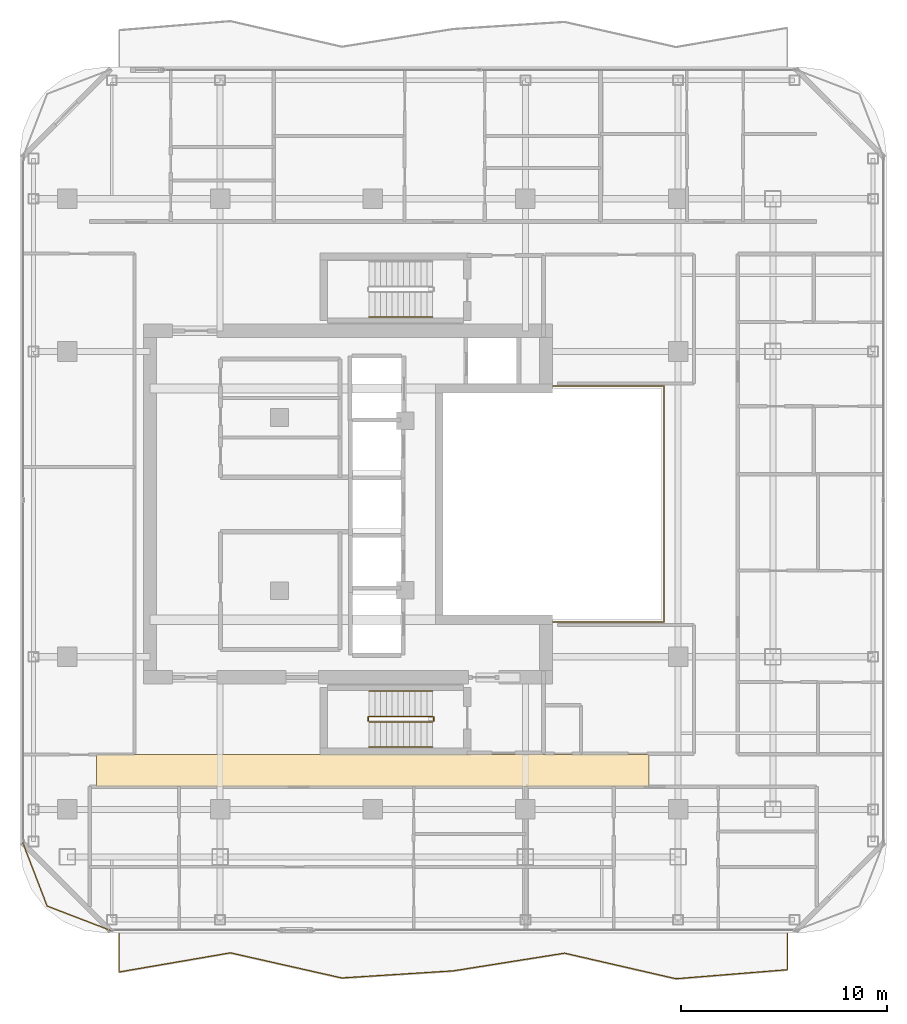
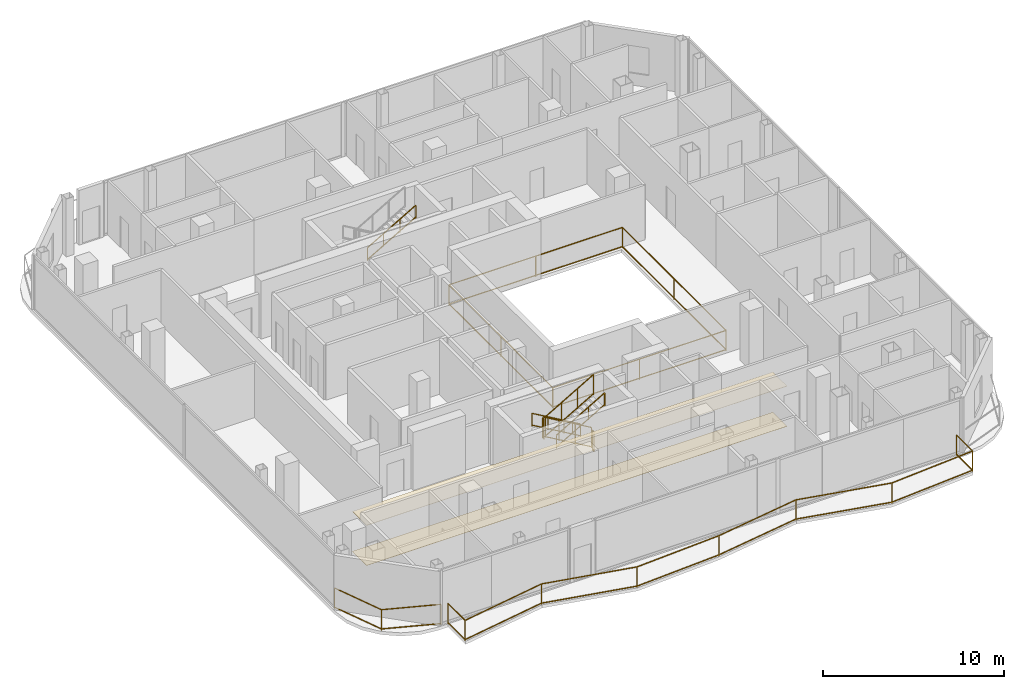
# One storey, part 21 of 23: 10 railings, 2 coverings.
"""IFC4 building model written with IfcOpenShell, lengths in metres."""

from ifc_helpers import new_model, si_unit, direction, frame, origin, origin_2d, place, context, subcontext, project, spatial, polyline, rectangle, outline, extrude, material, layer, layer_set, type_object, element, save


model = new_model("IFC4")

# Units and contexts
model_context = context("Model", 3, precision=1e-05, world=origin(), true_north=direction((0.0, 1.0)))
body_context = subcontext(model_context, "Body", "Model", "MODEL_VIEW")
ifc_project = project(units=[si_unit("LENGTHUNIT", "METRE"), si_unit("AREAUNIT", "SQUARE_METRE"), si_unit("VOLUMEUNIT", "CUBIC_METRE"), si_unit("PLANEANGLEUNIT", "RADIAN"), si_unit("MASSUNIT", "GRAM", prefix="KILO")], contexts=[model_context])

# Site, building, storey
site_placement = place(None, origin())
site = spatial("IfcSite", under=ifc_project, at=site_placement, CompositionType="ELEMENT")
building_placement = place(site_placement, origin())
building = spatial("IfcBuilding", under=site, at=building_placement, Name="Khorvyn Point Tower", CompositionType="ELEMENT")
storey_placement = place(building_placement, frame((0.0, 0.0, 258.60009765625)))
storey = spatial("IfcBuildingStorey", under=building, at=storey_placement, Name="L63", CompositionType="ELEMENT", Elevation=258.60009765625)

# Railings
ifc_material_1 = material(Name="Stainless steel 1.4401 and laminated glass", Category="steel")
railing_type_1 = type_object("IfcRailingType", Name="Crystal Atrium Smoke-Rated Perimeter Guardrail 1400", PredefinedType="GUARDRAIL", material=ifc_material_1)
railing_1_placement = place(storey_placement, frame((3.080078125, -5.719970703125, 0.0)))
element("IfcRailing", 1, at=railing_1_placement, inside=storey, type_object=railing_type_1, Name="L63 Crystal Atrium Perimeter Guardrail", PredefinedType="GUARDRAIL", context=body_context, shape_type="SweptSolid", body=[
    extrude(rectangle(XDim=0.048095703125, YDim=0.048095703125, at=origin_2d()), frame((0.0, 0.0, 1.3759765625), z_axis=(1.0, 0.0, 0.0), x_axis=(0.0, 1.0, 0.0)), (0.0, 0.0, 1.0), 11.0400390625),
    extrude(rectangle(XDim=0.048095703125, YDim=0.048095703125, at=origin_2d()), frame((0.0, 0.0, 0.080078125), z_axis=(1.0, 0.0, 0.0), x_axis=(0.0, 1.0, 0.0)), (0.0, 0.0, 1.0), 11.0400390625),
    extrude(rectangle(XDim=0.048095703125, YDim=0.048095703125, at=origin_2d()), frame((11.0400390625, 0.0, 1.3759765625), z_axis=(0.0, 1.0, 0.0), x_axis=(-1.0, 0.0, 0.0)), (0.0, 0.0, 1.0), 11.43994140625),
    extrude(rectangle(XDim=0.048095703125, YDim=0.048095703125, at=origin_2d()), frame((11.0400390625, 0.0, 0.080078125), z_axis=(0.0, 1.0, 0.0), x_axis=(-1.0, 0.0, 0.0)), (0.0, 0.0, 1.0), 11.43994140625),
    extrude(rectangle(XDim=0.048095703125, YDim=0.048095703125, at=origin_2d()), frame((11.0400390625, 11.43994140625, 1.3759765625), z_axis=(-1.0, 0.0, 0.0), x_axis=(0.0, -1.0, 0.0)), (0.0, 0.0, 1.0), 11.0400390625),
    extrude(rectangle(XDim=0.048095703125, YDim=0.048095703125, at=origin_2d()), frame((11.0400390625, 11.43994140625, 0.080078125), z_axis=(-1.0, 0.0, 0.0), x_axis=(0.0, -1.0, 0.0)), (0.0, 0.0, 1.0), 11.0400390625),
    extrude(rectangle(XDim=0.048095703125, YDim=0.048095703125, at=origin_2d()), frame((0.0, 11.43994140625, 1.3759765625), z_axis=(0.0, -1.0, 0.0), x_axis=(1.0, 0.0, 0.0)), (0.0, 0.0, 1.0), 11.409912109375),
    extrude(rectangle(XDim=0.048095703125, YDim=0.048095703125, at=origin_2d()), frame((0.0, 11.43994140625, 0.080078125), z_axis=(0.0, -1.0, 0.0), x_axis=(1.0, 0.0, 0.0)), (0.0, 0.0, 1.0), 11.409912109375),
    extrude(rectangle(XDim=0.0419921875, YDim=0.0419921875, at=origin_2d()), origin(), (0.0, 0.0, 1.0), 1.351806640625),
    extrude(rectangle(XDim=0.0419921875, YDim=0.0419921875, at=origin_2d()), frame((5.52001953125, 0.0, 0.0)), (0.0, 0.0, 1.0), 1.351806640625),
    extrude(rectangle(XDim=0.0419921875, YDim=0.0419921875, at=origin_2d()), frame((11.0400390625, 0.0, 0.0)), (0.0, 0.0, 1.0), 1.351806640625),
    extrude(rectangle(XDim=0.0419921875, YDim=0.0419921875, at=origin_2d()), frame((11.0400390625, 5.719970703125, 0.0)), (0.0, 0.0, 1.0), 1.351806640625),
    extrude(rectangle(XDim=0.0419921875, YDim=0.0419921875, at=origin_2d()), frame((11.0400390625, 11.43994140625, 0.0)), (0.0, 0.0, 1.0), 1.351806640625),
    extrude(rectangle(XDim=0.0419921875, YDim=0.0419921875, at=origin_2d()), frame((5.52001953125, 11.43994140625, 0.0)), (0.0, 0.0, 1.0), 1.351806640625),
    extrude(rectangle(XDim=0.0419921875, YDim=0.0419921875, at=origin_2d()), frame((0.0, 11.43994140625, 0.0)), (0.0, 0.0, 1.0), 1.351806640625),
    extrude(rectangle(XDim=0.0419921875, YDim=0.0419921875, at=origin_2d()), frame((0.0, 5.73486328125, 0.0)), (0.0, 0.0, 1.0), 1.351806640625),
    extrude(rectangle(XDim=0.0419921875, YDim=0.0419921875, at=origin_2d()), frame((0.0, 0.030029296875, 0.0)), (0.0, 0.0, 1.0), 1.351806640625),
])
ifc_material_2 = material(Name="Anodised aluminium 6063-T6 and laminated safety glass", Category="aluminium")
railing_type_2 = type_object("IfcRailingType", Name="Laminated Glass and Aluminium Balcony Guardrail 1400", PredefinedType="BALUSTRADE", material=ifc_material_2)
railing_2_placement = place(storey_placement, frame((-16.974365234375, -16.386474609375, 0.0)))
element("IfcRailing", 2, at=railing_2_placement, inside=storey, type_object=railing_type_2, Name="L63 Rounded Corner Edge Guardrail SW", PredefinedType="BALUSTRADE", context=body_context, shape_type="SweptSolid", body=[
    extrude(rectangle(XDim=0.048095703125, YDim=0.048095703125, at=origin_2d()), frame((0.0, 0.0, 1.3759765625), z_axis=(0.358367799998, -0.933580483903, 0.0), x_axis=(0.933580483903, 0.358367799998, 0.0)), (0.0, 0.0, 1.0), 3.319091796875),
    extrude(rectangle(XDim=0.048095703125, YDim=0.048095703125, at=origin_2d()), frame((0.0, 0.0, 0.080078125), z_axis=(0.358367799998, -0.933580483903, 0.0), x_axis=(0.933580483903, 0.358367799998, 0.0)), (0.0, 0.0, 1.0), 3.319091796875),
    extrude(rectangle(XDim=0.048095703125, YDim=0.048095703125, at=origin_2d()), frame((1.189453125, -3.0986328125, 1.3759765625), z_axis=(0.933595647299, -0.358328295484, 0.0), x_axis=(0.358328295484, 0.933595647299, 0.0)), (0.0, 0.0, 1.0), 3.31884765625),
    extrude(rectangle(XDim=0.048095703125, YDim=0.048095703125, at=origin_2d()), frame((1.189453125, -3.0986328125, 0.080078125), z_axis=(0.933595647299, -0.358328295484, 0.0), x_axis=(0.358328295484, 0.933595647299, 0.0)), (0.0, 0.0, 1.0), 3.31884765625),
    extrude(rectangle(XDim=0.0419921875, YDim=0.0419921875, at=origin_2d()), origin(), (0.0, 0.0, 1.0), 1.351806640625),
    extrude(rectangle(XDim=0.0419921875, YDim=0.0419921875, at=origin_2d()), frame((1.189453125, -3.0986328125, 0.0)), (0.0, 0.0, 1.0), 1.351806640625),
    extrude(rectangle(XDim=0.0419921875, YDim=0.0419921875, at=origin_2d()), frame((4.287841796875, -4.287841796875, 0.0)), (0.0, 0.0, 1.0), 1.351806640625),
])
railing_3_placement = place(storey_placement, frame((-12.300048828125, -20.800048828125, 0.0)))
element("IfcRailing", 3, at=railing_3_placement, inside=storey, type_object=railing_type_2, Name="L63 South Balcony Guardrail", PredefinedType="BALUSTRADE", context=body_context, shape_type="SweptSolid", body=[
    extrude(rectangle(XDim=0.048095703125, YDim=0.048095703125, at=origin_2d()), frame((0.0, 0.0, 1.3759765625), z_axis=(0.0, -1.0, 0.0), x_axis=(1.0, 0.0, 0.0)), (0.0, 0.0, 1.0), 1.88134765625),
    extrude(rectangle(XDim=0.048095703125, YDim=0.048095703125, at=origin_2d()), frame((0.0, 0.0, 0.080078125), z_axis=(0.0, -1.0, 0.0), x_axis=(1.0, 0.0, 0.0)), (0.0, 0.0, 1.0), 1.88134765625),
    extrude(rectangle(XDim=0.048095703125, YDim=0.048095703125, at=origin_2d()), frame((0.0, -1.88134765625, 1.3759765625), z_axis=(0.985524357442, 0.169533893036, 0.0), x_axis=(-0.169533893036, 0.985524357442, 0.0)), (0.0, 0.0, 1.0), 5.4794921875),
    extrude(rectangle(XDim=0.048095703125, YDim=0.048095703125, at=origin_2d()), frame((0.0, -1.88134765625, 0.080078125), z_axis=(0.985524357442, 0.169533893036, 0.0), x_axis=(-0.169533893036, 0.985524357442, 0.0)), (0.0, 0.0, 1.0), 5.4794921875),
    extrude(rectangle(XDim=0.048095703125, YDim=0.048095703125, at=origin_2d()), frame((5.400146484375, -0.952392578125, 1.3759765625), z_axis=(0.975501488729, -0.219992830535, 0.0), x_axis=(0.219992830535, 0.975501488729, 0.0)), (0.0, 0.0, 1.0), 5.535400390625),
    extrude(rectangle(XDim=0.048095703125, YDim=0.048095703125, at=origin_2d()), frame((5.400146484375, -0.952392578125, 0.080078125), z_axis=(0.975501488729, -0.219992830535, 0.0), x_axis=(0.219992830535, 0.975501488729, 0.0)), (0.0, 0.0, 1.0), 5.535400390625),
    extrude(rectangle(XDim=0.048095703125, YDim=0.048095703125, at=origin_2d()), frame((10.800048828125, -2.170166015625, 1.3759765625), z_axis=(0.997982791222, 0.063485025194, 0.0), x_axis=(-0.063485025194, 0.997982791222, 0.0)), (0.0, 0.0, 1.0), 5.410888671875),
    extrude(rectangle(XDim=0.048095703125, YDim=0.048095703125, at=origin_2d()), frame((10.800048828125, -2.170166015625, 0.080078125), z_axis=(0.997982791222, 0.063485025194, 0.0), x_axis=(-0.063485025194, 0.997982791222, 0.0)), (0.0, 0.0, 1.0), 5.410888671875),
    extrude(rectangle(XDim=0.048095703125, YDim=0.048095703125, at=origin_2d()), frame((16.199951171875, -1.82666015625, 1.3759765625), z_axis=(0.987593686239, 0.157030923392, 0.0), x_axis=(-0.157030923392, 0.987593686239, 0.0)), (0.0, 0.0, 1.0), 5.468017578125),
    extrude(rectangle(XDim=0.048095703125, YDim=0.048095703125, at=origin_2d()), frame((16.199951171875, -1.82666015625, 0.080078125), z_axis=(0.987593686239, 0.157030923392, 0.0), x_axis=(-0.157030923392, 0.987593686239, 0.0)), (0.0, 0.0, 1.0), 5.468017578125),
    extrude(rectangle(XDim=0.048095703125, YDim=0.048095703125, at=origin_2d()), frame((21.60009765625, -0.968017578125, 1.3759765625), z_axis=(0.974604637949, -0.223932578445, 0.0), x_axis=(0.223932578445, 0.974604637949, 0.0)), (0.0, 0.0, 1.0), 5.54052734375),
    extrude(rectangle(XDim=0.048095703125, YDim=0.048095703125, at=origin_2d()), frame((21.60009765625, -0.968017578125, 0.080078125), z_axis=(0.974604637949, -0.223932578445, 0.0), x_axis=(0.223932578445, 0.974604637949, 0.0)), (0.0, 0.0, 1.0), 5.54052734375),
    extrude(rectangle(XDim=0.048095703125, YDim=0.048095703125, at=origin_2d()), frame((27.0, -2.208740234375, 1.3759765625), z_axis=(0.996726987626, 0.080841277445, 0.0), x_axis=(-0.080841277445, 0.996726987626, 0.0)), (0.0, 0.0, 1.0), 5.41796875),
    extrude(rectangle(XDim=0.048095703125, YDim=0.048095703125, at=origin_2d()), frame((27.0, -2.208740234375, 0.080078125), z_axis=(0.996726987626, 0.080841277445, 0.0), x_axis=(-0.080841277445, 0.996726987626, 0.0)), (0.0, 0.0, 1.0), 5.41796875),
    extrude(rectangle(XDim=0.048095703125, YDim=0.048095703125, at=origin_2d()), frame((32.400146484375, -1.770751953125, 1.3759765625), z_axis=(0.0, 1.0, 0.0), x_axis=(-1.0, 0.0, 0.0)), (0.0, 0.0, 1.0), 1.770751953125),
    extrude(rectangle(XDim=0.048095703125, YDim=0.048095703125, at=origin_2d()), frame((32.400146484375, -1.770751953125, 0.080078125), z_axis=(0.0, 1.0, 0.0), x_axis=(-1.0, 0.0, 0.0)), (0.0, 0.0, 1.0), 1.770751953125),
    extrude(rectangle(XDim=0.0419921875, YDim=0.0419921875, at=origin_2d()), origin(), (0.0, 0.0, 1.0), 1.351806640625),
    extrude(rectangle(XDim=0.0419921875, YDim=0.0419921875, at=origin_2d()), frame((0.0, -1.88134765625, 0.0)), (0.0, 0.0, 1.0), 1.351806640625),
    extrude(rectangle(XDim=0.0419921875, YDim=0.0419921875, at=origin_2d()), frame((5.400146484375, -0.952392578125, 0.0)), (0.0, 0.0, 1.0), 1.351806640625),
    extrude(rectangle(XDim=0.0419921875, YDim=0.0419921875, at=origin_2d()), frame((10.800048828125, -2.170166015625, 0.0)), (0.0, 0.0, 1.0), 1.351806640625),
    extrude(rectangle(XDim=0.0419921875, YDim=0.0419921875, at=origin_2d()), frame((16.199951171875, -1.82666015625, 0.0)), (0.0, 0.0, 1.0), 1.351806640625),
    extrude(rectangle(XDim=0.0419921875, YDim=0.0419921875, at=origin_2d()), frame((21.60009765625, -0.968017578125, 0.0)), (0.0, 0.0, 1.0), 1.351806640625),
    extrude(rectangle(XDim=0.0419921875, YDim=0.0419921875, at=origin_2d()), frame((27.0, -2.208740234375, 0.0)), (0.0, 0.0, 1.0), 1.351806640625),
    extrude(rectangle(XDim=0.0419921875, YDim=0.0419921875, at=origin_2d()), frame((32.400146484375, -1.770751953125, 0.0)), (0.0, 0.0, 1.0), 1.351806640625),
    extrude(rectangle(XDim=0.0419921875, YDim=0.0419921875, at=origin_2d()), frame((32.400146484375, 0.0, 0.0)), (0.0, 0.0, 1.0), 1.351806640625),
])

# Coverings
ifc_material_3 = material(Name="Mineral-fibre acoustic ceiling board", Category="gypsum")
ifc_layer_1 = layer(ifc_material_3, 0.02001953125)
ifc_layer_set_1 = layer_set([ifc_layer_1], Name="Perforated Mineral-Fibre Acoustic Suspended Ceiling 20")
covering_type_1 = type_object("IfcCoveringType", Name="Perforated Mineral-Fibre Acoustic Suspended Ceiling 20", PredefinedType="CEILING", material=ifc_layer_set_1)
covering_1_placement = place(storey_placement, frame((0.0, 0.0, 2.699951171875)))
element("IfcCovering", 4, at=covering_1_placement, inside=storey, type_object=covering_type_1, Name="L63 South Corridor Acoustic Ceiling", PredefinedType="CEILING", context=body_context, shape_type="SweptSolid", body=[
    extrude(outline(polyline([(-13.39990234375, -13.7099609375), (13.39990234375, -13.7099609375), (13.39990234375, -12.139892578125), (-13.39990234375, -12.139892578125), (-13.39990234375, -13.7099609375)])), origin(), (0.0, 0.0, 1.0), 0.02001953125),
])
ifc_material_4 = material(Name="Vitrified porcelain terrazzo tile", Category="ceramic")
ifc_layer_2 = layer(ifc_material_4, 0.01806640625)
ifc_layer_set_2 = layer_set([ifc_layer_2], Name="Porcelain Terrazzo Corridor Floor Finish Tile 18")
covering_type_2 = type_object("IfcCoveringType", Name="Porcelain Terrazzo Corridor Floor Finish Tile 18", PredefinedType="FLOORING", material=ifc_layer_set_2)
covering_2_placement = place(storey_placement, origin())
element("IfcCovering", 5, at=covering_2_placement, inside=storey, type_object=covering_type_2, Name="L63 South Corridor Terrazzo Flooring", PredefinedType="FLOORING", context=body_context, shape_type="SweptSolid", body=[
    extrude(outline(polyline([(-13.39990234375, -13.7099609375), (13.39990234375, -13.7099609375), (13.39990234375, -12.139892578125), (-13.39990234375, -12.139892578125), (-13.39990234375, -13.7099609375)])), origin(), (0.0, 0.0, 1.0), 0.017822265625),
])

# Railings
ifc_material_5 = material(Name="Stainless steel 1.4301", Category="steel")
railing_type_3 = type_object("IfcRailingType", Name="Stainless Steel 304 Stair Pitch Handrail 900", PredefinedType="HANDRAIL", material=ifc_material_5)
railing_4_placement = place(storey_placement, frame((2.89990234375, -9.070068359375, 0.162353515625)))
element("IfcRailing", 6, at=railing_4_placement, inside=storey, type_object=railing_type_3, Name="L63 ST-01 stair handrail 1", PredefinedType="HANDRAIL", context=body_context, shape_type="SweptSolid", body=[
    extrude(rectangle(XDim=0.048095703125, YDim=0.048095703125, at=origin_2d()), frame((0.0, 0.0, 0.8759765625), z_axis=(-0.864873446163, 0.0, 0.501989962173), x_axis=(0.0, -1.0, 0.0)), (0.0, 0.0, 1.0), 3.56103515625),
    extrude(rectangle(XDim=0.048095703125, YDim=0.048095703125, at=origin_2d()), frame((0.0, 0.0, 0.080078125), z_axis=(-0.864873446163, 0.0, 0.501989962173), x_axis=(0.0, -1.0, 0.0)), (0.0, 0.0, 1.0), 3.56103515625),
    extrude(rectangle(XDim=0.0419921875, YDim=0.0419921875, at=origin_2d()), origin(), (0.0, 0.0, 1.0), 0.851806640625),
    extrude(rectangle(XDim=0.0419921875, YDim=0.0419921875, at=origin_2d()), frame((-1.026611328125, 0.0, 0.595947265625)), (0.0, 0.0, 1.0), 0.851806640625),
    extrude(rectangle(XDim=0.0419921875, YDim=0.0419921875, at=origin_2d()), frame((-2.05322265625, 0.0, 1.191650390625)), (0.0, 0.0, 1.0), 0.851806640625),
    extrude(rectangle(XDim=0.0419921875, YDim=0.0419921875, at=origin_2d()), frame((-3.079833984375, 0.0, 1.78759765625)), (0.0, 0.0, 1.0), 0.851806640625),
])
for number, where, name in (
    (7, (-0.179931640625, -11.77001953125, 2.1123046875), "L63 ST-01 stair handrail 2"),
    (8, (-0.179931640625, 9.070068359375, 2.1123046875), "L63 ST-02 stair handrail 2"),
):
    element("IfcRailing", number, at=place(storey_placement, frame(where)), inside=storey, type_object=railing_type_3, Name=name, PredefinedType="HANDRAIL", context=body_context, shape_type="SweptSolid", body=[
        extrude(rectangle(XDim=0.048095703125, YDim=0.048095703125, at=origin_2d()), frame((0.0, 0.0, 0.8759765625), z_axis=(0.864873446163, 0.0, 0.501989962173), x_axis=(0.0, 1.0, 0.0)), (0.0, 0.0, 1.0), 3.56103515625),
        extrude(rectangle(XDim=0.048095703125, YDim=0.048095703125, at=origin_2d()), frame((0.0, 0.0, 0.080078125), z_axis=(0.864873446163, 0.0, 0.501989962173), x_axis=(0.0, 1.0, 0.0)), (0.0, 0.0, 1.0), 3.56103515625),
        extrude(rectangle(XDim=0.0419921875, YDim=0.0419921875, at=origin_2d()), origin(), (0.0, 0.0, 1.0), 0.851806640625),
        extrude(rectangle(XDim=0.0419921875, YDim=0.0419921875, at=origin_2d()), frame((1.026611328125, 0.0, 0.595947265625)), (0.0, 0.0, 1.0), 0.851806640625),
        extrude(rectangle(XDim=0.0419921875, YDim=0.0419921875, at=origin_2d()), frame((2.05322265625, 0.0, 1.191650390625)), (0.0, 0.0, 1.0), 0.851806640625),
        extrude(rectangle(XDim=0.0419921875, YDim=0.0419921875, at=origin_2d()), frame((3.079833984375, 0.0, 1.78759765625)), (0.0, 0.0, 1.0), 0.851806640625),
    ])
railing_type_4 = type_object("IfcRailingType", Name="Stainless Steel 304 Stair Well Guardrail 1400", PredefinedType="GUARDRAIL", material=ifc_material_5)
railing_5_placement = place(storey_placement, frame((2.89990234375, -10.2900390625, 0.162353515625)))
element("IfcRailing", 9, at=railing_5_placement, inside=storey, type_object=railing_type_4, Name="L63 ST-01 stair guard 1", PredefinedType="GUARDRAIL", context=body_context, shape_type="SweptSolid", body=[
    extrude(rectangle(XDim=0.048095703125, YDim=0.048095703125, at=origin_2d()), frame((0.0, 0.0, 1.3759765625), z_axis=(-0.864873446163, 0.0, 0.501989962173), x_axis=(0.0, -1.0, 0.0)), (0.0, 0.0, 1.0), 3.56103515625),
    extrude(rectangle(XDim=0.048095703125, YDim=0.048095703125, at=origin_2d()), frame((0.0, 0.0, 0.080078125), z_axis=(-0.864873446163, 0.0, 0.501989962173), x_axis=(0.0, -1.0, 0.0)), (0.0, 0.0, 1.0), 3.56103515625),
    extrude(rectangle(XDim=0.0419921875, YDim=0.0419921875, at=origin_2d()), origin(), (0.0, 0.0, 1.0), 1.351806640625),
    extrude(rectangle(XDim=0.0419921875, YDim=0.0419921875, at=origin_2d()), frame((-1.026611328125, 0.0, 0.595947265625)), (0.0, 0.0, 1.0), 1.351806640625),
    extrude(rectangle(XDim=0.0419921875, YDim=0.0419921875, at=origin_2d()), frame((-2.05322265625, 0.0, 1.191650390625)), (0.0, 0.0, 1.0), 1.351806640625),
    extrude(rectangle(XDim=0.0419921875, YDim=0.0419921875, at=origin_2d()), frame((-3.079833984375, 0.0, 1.78759765625)), (0.0, 0.0, 1.0), 1.351806640625),
])
railing_6_placement = place(storey_placement, frame((-0.22998046875, -10.340087890625, 1.949951171875)))
element("IfcRailing", 10, at=railing_6_placement, inside=storey, type_object=railing_type_4, Name="L63 ST-01 stair guard 2", PredefinedType="GUARDRAIL", context=body_context, shape_type="SweptSolid", body=[
    extrude(rectangle(XDim=0.048095703125, YDim=0.048095703125, at=origin_2d()), frame((0.0, 0.0, 1.3759765625), z_axis=(0.0, -1.0, 0.0), x_axis=(1.0, 0.0, 0.0)), (0.0, 0.0, 1.0), 0.159912109375),
    extrude(rectangle(XDim=0.048095703125, YDim=0.048095703125, at=origin_2d()), frame((0.0, 0.0, 0.080078125), z_axis=(0.0, -1.0, 0.0), x_axis=(1.0, 0.0, 0.0)), (0.0, 0.0, 1.0), 0.159912109375),
    extrude(rectangle(XDim=0.0419921875, YDim=0.0419921875, at=origin_2d()), origin(), (0.0, 0.0, 1.0), 1.351806640625),
    extrude(rectangle(XDim=0.0419921875, YDim=0.0419921875, at=origin_2d()), frame((0.0, -0.159912109375, 0.0)), (0.0, 0.0, 1.0), 1.351806640625),
])
railing_7_placement = place(storey_placement, frame((-0.179931640625, -10.550048828125, 2.1123046875)))
element("IfcRailing", 11, at=railing_7_placement, inside=storey, type_object=railing_type_4, Name="L63 ST-01 stair guard 3", PredefinedType="GUARDRAIL", context=body_context, shape_type="SweptSolid", body=[
    extrude(rectangle(XDim=0.048095703125, YDim=0.048095703125, at=origin_2d()), frame((0.0, 0.0, 1.3759765625), z_axis=(0.864873446163, 0.0, 0.501989962173), x_axis=(0.0, 1.0, 0.0)), (0.0, 0.0, 1.0), 3.56103515625),
    extrude(rectangle(XDim=0.048095703125, YDim=0.048095703125, at=origin_2d()), frame((0.0, 0.0, 0.080078125), z_axis=(0.864873446163, 0.0, 0.501989962173), x_axis=(0.0, 1.0, 0.0)), (0.0, 0.0, 1.0), 3.56103515625),
    extrude(rectangle(XDim=0.0419921875, YDim=0.0419921875, at=origin_2d()), origin(), (0.0, 0.0, 1.0), 1.351806640625),
    extrude(rectangle(XDim=0.0419921875, YDim=0.0419921875, at=origin_2d()), frame((1.026611328125, 0.0, 0.595947265625)), (0.0, 0.0, 1.0), 1.351806640625),
    extrude(rectangle(XDim=0.0419921875, YDim=0.0419921875, at=origin_2d()), frame((2.05322265625, 0.0, 1.191650390625)), (0.0, 0.0, 1.0), 1.351806640625),
    extrude(rectangle(XDim=0.0419921875, YDim=0.0419921875, at=origin_2d()), frame((3.079833984375, 0.0, 1.78759765625)), (0.0, 0.0, 1.0), 1.351806640625),
])
railing_8_placement = place(storey_placement, frame((2.949951171875, -10.340087890625, 0.0)))
element("IfcRailing", 12, at=railing_8_placement, inside=storey, type_object=railing_type_4, Name="L63 ST-01 stair guard 4", PredefinedType="GUARDRAIL", context=body_context, shape_type="SweptSolid", body=[
    extrude(rectangle(XDim=0.048095703125, YDim=0.048095703125, at=origin_2d()), frame((0.0, 0.0, 1.3759765625), z_axis=(0.0, -1.0, 0.0), x_axis=(1.0, 0.0, 0.0)), (0.0, 0.0, 1.0), 0.159912109375),
    extrude(rectangle(XDim=0.048095703125, YDim=0.048095703125, at=origin_2d()), frame((0.0, 0.0, 0.080078125), z_axis=(0.0, -1.0, 0.0), x_axis=(1.0, 0.0, 0.0)), (0.0, 0.0, 1.0), 0.159912109375),
    extrude(rectangle(XDim=0.0419921875, YDim=0.0419921875, at=origin_2d()), origin(), (0.0, 0.0, 1.0), 1.351806640625),
    extrude(rectangle(XDim=0.0419921875, YDim=0.0419921875, at=origin_2d()), frame((0.0, -0.159912109375, 0.0)), (0.0, 0.0, 1.0), 1.351806640625),
])

save(model, "model.ifc")
